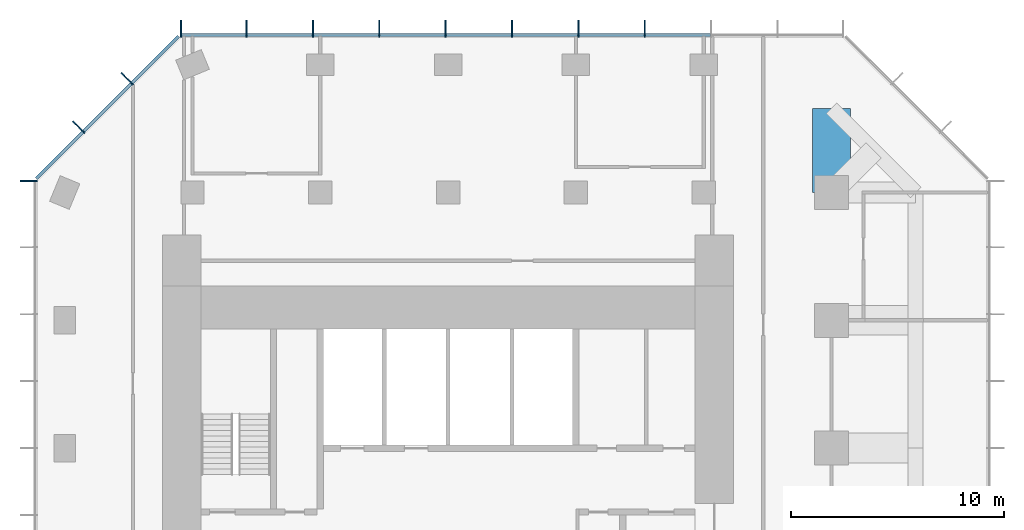
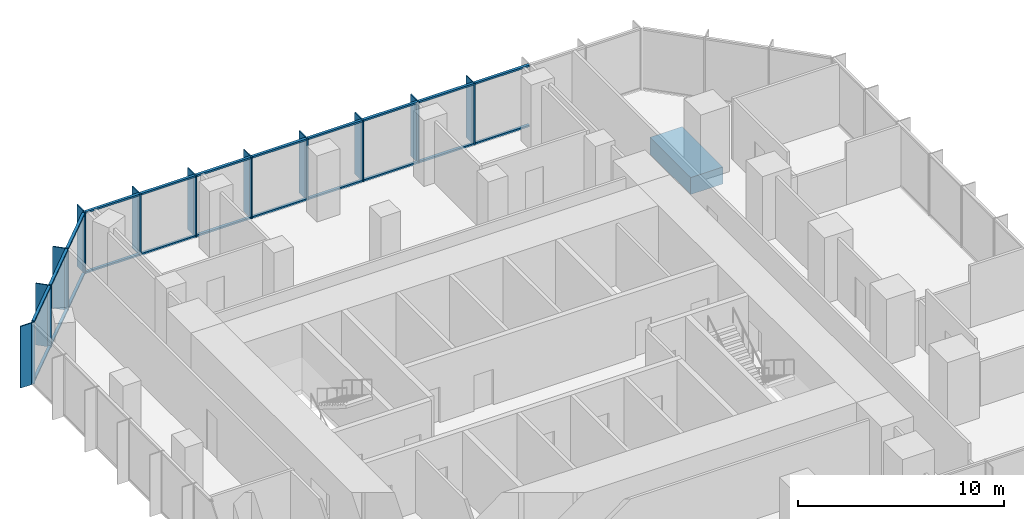
# One storey, part 5 of 10: 44 members, 1 beam, 3 elements without a shape of their own.
"""IFC4 building model written with IfcOpenShell, lengths in metres."""

from ifc_helpers import new_model, si_unit, direction, frame, origin, origin_2d, place, context, subcontext, project, spatial, rectangle, extrude, material, layer, layer_set, material_profile, profile_set, type_object, element, aggregate, save


model = new_model("IFC4")

# Units and contexts
model_context = context("Model", 3, precision=1e-05, world=origin(), true_north=direction((0.0, 1.0)))
body_context = subcontext(model_context, "Body", "Model", "MODEL_VIEW")
ifc_project = project(units=[si_unit("LENGTHUNIT", "METRE"), si_unit("AREAUNIT", "SQUARE_METRE"), si_unit("VOLUMEUNIT", "CUBIC_METRE"), si_unit("PLANEANGLEUNIT", "RADIAN"), si_unit("MASSUNIT", "GRAM", prefix="KILO")], contexts=[model_context])

# Site, building, storey
site_placement = place(None, origin())
site = spatial("IfcSite", under=ifc_project, at=site_placement, CompositionType="ELEMENT")
building_placement = place(site_placement, origin())
building = spatial("IfcBuilding", under=site, at=building_placement, Name="Highveld Stack Headquarters", CompositionType="ELEMENT")
storey_placement = place(building_placement, frame((0.0, 0.0, 264.5)))
storey = spatial("IfcBuildingStorey", under=building, at=storey_placement, Name="L65", CompositionType="ELEMENT", Elevation=264.5)

# Beam
ifc_material_1 = material(Name="Concrete C60/75", Category="concrete")
ifc_material_profile_1 = material_profile(ifc_material_1, rectangle(XDim=1.800048828125, YDim=1.0, at=origin_2d()), Name="RC 1800x1000")
ifc_profile_set_1 = profile_set([ifc_material_profile_1], Name="Concrete C60/75")
beam_type = type_object("IfcBeamType", Name="CANTILEVER RIB RC 1800x1000", PredefinedType="USERDEFINED", material=ifc_profile_set_1)
beam_placement = place(storey_placement, frame((24.0, 18.0, -0.75), z_axis=(0.0, 1.0, 0.0), x_axis=(-1.0, 0.0, 0.0)))
element("IfcBeam", 1, at=beam_placement, inside=storey, type_object=beam_type, Name="Cantilever rib 10/H L65", ObjectType="CANTILEVER RIB", PredefinedType="USERDEFINED", context=body_context, shape_type="SweptSolid", body=[
    extrude(rectangle(XDim=1.800048828125, YDim=1.0, at=origin_2d()), origin(), (0.0, 0.0, 1.0), 3.949951171875),
])

# Curtain wall, members
ifc_material_2 = material(Name="Aluminium bronze anodised", Category="aluminium")
ifc_layer = layer(ifc_material_2, 0.199951171875)
ifc_layer_set = layer_set([ifc_layer], Name="Aluminium bronze anodised")
curtain_wall_type = type_object("IfcCurtainWallType", Name="CW5 EXECUTIVE UNITISED CURTAIN WALL", PredefinedType="NOTDEFINED", material=ifc_layer_set)
curtain_wall_1_placement = place(storey_placement, origin())
curtain_wall_1 = element("IfcCurtainWall", 2, at=curtain_wall_1_placement, inside=storey, type_object=curtain_wall_type, Name="Curtain wall CW5 L65 N", PredefinedType="NOTDEFINED")
ifc_material_3 = material(Name="Aluminium bronze anodised", Category="aluminium")
ifc_material_profile_2 = material_profile(ifc_material_3, rectangle(XDim=0.60009765625, YDim=0.06005859375, at=origin_2d()), Name="FIN 600x60")
ifc_profile_set_2 = profile_set([ifc_material_profile_2], Name="Aluminium bronze anodised")
member_type_1 = type_object("IfcMemberType", Name="CW5 BRONZE FIN 600x60", PredefinedType="USERDEFINED", material=ifc_profile_set_2)
member_1_placement = place(storey_placement, frame((15.23193359375, 25.800048828125, 0.0), z_axis=(0.0, 0.0, 1.0), x_axis=(0.0, -1.0, 0.0)))
member_1 = element("IfcMember", 3, at=member_1_placement, type_object=member_type_1, Name="CW5 fin L65 4", ObjectType="FIN", PredefinedType="USERDEFINED", context=body_context, shape_type="SweptSolid", body=[
    extrude(rectangle(XDim=0.60009765625, YDim=0.06005859375, at=origin_2d()), origin(), (0.0, 0.0, 1.0), 3.64990234375),
])
member_2_placement = place(storey_placement, frame((12.115966796875, 25.800048828125, 0.0), z_axis=(0.0, 0.0, 1.0), x_axis=(0.0, -1.0, 0.0)))
member_2 = element("IfcMember", 4, at=member_2_placement, type_object=member_type_1, Name="CW5 fin L65 5", ObjectType="FIN", PredefinedType="USERDEFINED", context=body_context, shape_type="SweptSolid", body=[
    extrude(rectangle(XDim=0.60009765625, YDim=0.06005859375, at=origin_2d()), origin(), (0.0, 0.0, 1.0), 3.64990234375),
])
member_3_placement = place(storey_placement, frame((9.0, 25.800048828125, 0.0), z_axis=(0.0, 0.0, 1.0), x_axis=(0.0, -1.0, 0.0)))
member_3 = element("IfcMember", 5, at=member_3_placement, type_object=member_type_1, Name="CW5 fin L65 6", ObjectType="FIN", PredefinedType="USERDEFINED", context=body_context, shape_type="SweptSolid", body=[
    extrude(rectangle(XDim=0.60009765625, YDim=0.06005859375, at=origin_2d()), origin(), (0.0, 0.0, 1.0), 3.64990234375),
])
member_4_placement = place(storey_placement, frame((5.884033203125, 25.800048828125, 0.0), z_axis=(0.0, 0.0, 1.0), x_axis=(0.0, -1.0, 0.0)))
member_4 = element("IfcMember", 6, at=member_4_placement, type_object=member_type_1, Name="CW5 fin L65 7", ObjectType="FIN", PredefinedType="USERDEFINED", context=body_context, shape_type="SweptSolid", body=[
    extrude(rectangle(XDim=0.60009765625, YDim=0.06005859375, at=origin_2d()), origin(), (0.0, 0.0, 1.0), 3.64990234375),
])
member_5_placement = place(storey_placement, frame((2.76806640625, 25.800048828125, 0.0), z_axis=(0.0, 0.0, 1.0), x_axis=(0.0, -1.0, 0.0)))
member_5 = element("IfcMember", 7, at=member_5_placement, type_object=member_type_1, Name="CW5 fin L65 8", ObjectType="FIN", PredefinedType="USERDEFINED", context=body_context, shape_type="SweptSolid", body=[
    extrude(rectangle(XDim=0.60009765625, YDim=0.06005859375, at=origin_2d()), origin(), (0.0, 0.0, 1.0), 3.64990234375),
])
member_6_placement = place(storey_placement, frame((-0.347900390625, 25.800048828125, 0.0), z_axis=(0.0, 0.0, 1.0), x_axis=(0.0, -1.0, 0.0)))
member_6 = element("IfcMember", 8, at=member_6_placement, type_object=member_type_1, Name="CW5 fin L65 9", ObjectType="FIN", PredefinedType="USERDEFINED", context=body_context, shape_type="SweptSolid", body=[
    extrude(rectangle(XDim=0.60009765625, YDim=0.06005859375, at=origin_2d()), origin(), (0.0, 0.0, 1.0), 3.64990234375),
])
member_7_placement = place(storey_placement, frame((-3.4638671875, 25.800048828125, 0.0), z_axis=(0.0, 0.0, 1.0), x_axis=(0.0, -1.0, 0.0)))
member_7 = element("IfcMember", 9, at=member_7_placement, type_object=member_type_1, Name="CW5 fin L65 10", ObjectType="FIN", PredefinedType="USERDEFINED", context=body_context, shape_type="SweptSolid", body=[
    extrude(rectangle(XDim=0.60009765625, YDim=0.06005859375, at=origin_2d()), origin(), (0.0, 0.0, 1.0), 3.64990234375),
])
member_8_placement = place(storey_placement, frame((-6.54736328125, 25.800048828125, 0.0), z_axis=(0.0, 0.0, 1.0), x_axis=(0.0, -1.0, 0.0)))
member_8 = element("IfcMember", 10, at=member_8_placement, type_object=member_type_1, Name="CW5 fin L65 11", ObjectType="FIN", PredefinedType="USERDEFINED", context=body_context, shape_type="SweptSolid", body=[
    extrude(rectangle(XDim=0.60009765625, YDim=0.06005859375, at=origin_2d()), origin(), (0.0, 0.0, 1.0), 3.64990234375),
])

curtain_wall_2_placement = place(storey_placement, origin())
curtain_wall_2 = element("IfcCurtainWall", 11, at=curtain_wall_2_placement, inside=storey, type_object=curtain_wall_type, Name="Curtain wall CW5 L65 NW", PredefinedType="NOTDEFINED")
member_9_placement = place(storey_placement, frame((-9.135986328125, 23.409423828125, 0.0), z_axis=(0.0, 0.0, 1.0), x_axis=(0.707106781187, -0.707106781187, 0.0)))
member_9 = element("IfcMember", 12, at=member_9_placement, type_object=member_type_1, Name="CW5 fin L65 1", ObjectType="FIN", PredefinedType="USERDEFINED", context=body_context, shape_type="SweptSolid", body=[
    extrude(rectangle(XDim=0.60009765625, YDim=0.06005859375, at=origin_2d()), origin(), (0.0, 0.0, 1.0), 3.64990234375),
])
member_10_placement = place(storey_placement, frame((-11.409423828125, 21.135986328125, 0.0), z_axis=(0.0, 0.0, 1.0), x_axis=(0.707106781187, -0.707106781187, 0.0)))
member_10 = element("IfcMember", 13, at=member_10_placement, type_object=member_type_1, Name="CW5 fin L65 2", ObjectType="FIN", PredefinedType="USERDEFINED", context=body_context, shape_type="SweptSolid", body=[
    extrude(rectangle(XDim=0.60009765625, YDim=0.06005859375, at=origin_2d()), origin(), (0.0, 0.0, 1.0), 3.64990234375),
])

# Curtain wall, member
curtain_wall_3_placement = place(storey_placement, origin())
curtain_wall_3 = element("IfcCurtainWall", 14, at=curtain_wall_3_placement, inside=storey, type_object=curtain_wall_type, Name="Curtain wall CW5 L65 W", PredefinedType="NOTDEFINED")
member_11_placement = place(storey_placement, frame((-13.800048828125, 18.54736328125, 0.0), z_axis=(0.0, 0.0, 1.0), x_axis=(1.0, 0.0, 0.0)))
member_11 = element("IfcMember", 15, at=member_11_placement, type_object=member_type_1, Name="CW5 fin L65 1", ObjectType="FIN", PredefinedType="USERDEFINED", context=body_context, shape_type="SweptSolid", body=[
    extrude(rectangle(XDim=0.60009765625, YDim=0.06005859375, at=origin_2d()), origin(), (0.0, 0.0, 1.0), 3.64990234375),
])

# Member
ifc_material_4 = material(Name="Aluminium bronze anodised", Category="aluminium")
ifc_material_profile_3 = material_profile(ifc_material_4, rectangle(XDim=0.199951171875, YDim=0.06494140625, at=origin_2d()), Name="CW5 MULLION 65x200")
ifc_profile_set_3 = profile_set([ifc_material_profile_3], Name="Aluminium bronze anodised")
member_type_2 = type_object("IfcMemberType", Name="CW5 MULLION 65x200", PredefinedType="MULLION", material=ifc_profile_set_3)
member_12_placement = place(storey_placement, frame((15.23193359375, 25.39990234375, 0.0), z_axis=(0.0, 0.0, 1.0), x_axis=(0.0, -1.0, 0.0)))
member_12 = element("IfcMember", 16, at=member_12_placement, type_object=member_type_2, Name="CW5 mullion L65 4", PredefinedType="MULLION", context=body_context, shape_type="SweptSolid", body=[
    extrude(rectangle(XDim=0.199951171875, YDim=0.06494140625, at=origin_2d()), origin(), (0.0, 0.0, 1.0), 3.64990234375),
])

member_13_placement = place(storey_placement, frame((12.115966796875, 25.39990234375, 0.0), z_axis=(0.0, 0.0, 1.0), x_axis=(0.0, -1.0, 0.0)))
member_13 = element("IfcMember", 17, at=member_13_placement, type_object=member_type_2, Name="CW5 mullion L65 5", PredefinedType="MULLION", context=body_context, shape_type="SweptSolid", body=[
    extrude(rectangle(XDim=0.199951171875, YDim=0.06494140625, at=origin_2d()), origin(), (0.0, 0.0, 1.0), 3.64990234375),
])

member_14_placement = place(storey_placement, frame((9.0, 25.39990234375, 0.0), z_axis=(0.0, 0.0, 1.0), x_axis=(0.0, -1.0, 0.0)))
member_14 = element("IfcMember", 18, at=member_14_placement, type_object=member_type_2, Name="CW5 mullion L65 6", PredefinedType="MULLION", context=body_context, shape_type="SweptSolid", body=[
    extrude(rectangle(XDim=0.199951171875, YDim=0.06494140625, at=origin_2d()), origin(), (0.0, 0.0, 1.0), 3.64990234375),
])

member_15_placement = place(storey_placement, frame((5.884033203125, 25.39990234375, 0.0), z_axis=(0.0, 0.0, 1.0), x_axis=(0.0, -1.0, 0.0)))
member_15 = element("IfcMember", 19, at=member_15_placement, type_object=member_type_2, Name="CW5 mullion L65 7", PredefinedType="MULLION", context=body_context, shape_type="SweptSolid", body=[
    extrude(rectangle(XDim=0.199951171875, YDim=0.06494140625, at=origin_2d()), origin(), (0.0, 0.0, 1.0), 3.64990234375),
])

member_16_placement = place(storey_placement, frame((2.76806640625, 25.39990234375, 0.0), z_axis=(0.0, 0.0, 1.0), x_axis=(0.0, -1.0, 0.0)))
member_16 = element("IfcMember", 20, at=member_16_placement, type_object=member_type_2, Name="CW5 mullion L65 8", PredefinedType="MULLION", context=body_context, shape_type="SweptSolid", body=[
    extrude(rectangle(XDim=0.199951171875, YDim=0.06494140625, at=origin_2d()), origin(), (0.0, 0.0, 1.0), 3.64990234375),
])

member_17_placement = place(storey_placement, frame((-0.347900390625, 25.39990234375, 0.0), z_axis=(0.0, 0.0, 1.0), x_axis=(0.0, -1.0, 0.0)))
member_17 = element("IfcMember", 21, at=member_17_placement, type_object=member_type_2, Name="CW5 mullion L65 9", PredefinedType="MULLION", context=body_context, shape_type="SweptSolid", body=[
    extrude(rectangle(XDim=0.199951171875, YDim=0.06494140625, at=origin_2d()), origin(), (0.0, 0.0, 1.0), 3.64990234375),
])

member_18_placement = place(storey_placement, frame((-3.4638671875, 25.39990234375, 0.0), z_axis=(0.0, 0.0, 1.0), x_axis=(0.0, -1.0, 0.0)))
member_18 = element("IfcMember", 22, at=member_18_placement, type_object=member_type_2, Name="CW5 mullion L65 10", PredefinedType="MULLION", context=body_context, shape_type="SweptSolid", body=[
    extrude(rectangle(XDim=0.199951171875, YDim=0.06494140625, at=origin_2d()), origin(), (0.0, 0.0, 1.0), 3.64990234375),
])

member_19_placement = place(storey_placement, frame((-6.54736328125, 25.39990234375, 0.0), z_axis=(0.0, 0.0, 1.0), x_axis=(0.0, -1.0, 0.0)))
member_19 = element("IfcMember", 23, at=member_19_placement, type_object=member_type_2, Name="CW5 mullion L65 11", PredefinedType="MULLION", context=body_context, shape_type="SweptSolid", body=[
    extrude(rectangle(XDim=0.199951171875, YDim=0.06494140625, at=origin_2d()), origin(), (0.0, 0.0, 1.0), 3.64990234375),
])

member_20_placement = place(storey_placement, frame((-8.853271484375, 23.126708984375, 0.0), z_axis=(0.0, 0.0, 1.0), x_axis=(0.707106781187, -0.707106781187, 0.0)))
member_20 = element("IfcMember", 24, at=member_20_placement, type_object=member_type_2, Name="CW5 mullion L65 1", PredefinedType="MULLION", context=body_context, shape_type="SweptSolid", body=[
    extrude(rectangle(XDim=0.199951171875, YDim=0.06494140625, at=origin_2d()), origin(), (0.0, 0.0, 1.0), 3.64990234375),
])

member_21_placement = place(storey_placement, frame((-11.126708984375, 20.853271484375, 0.0), z_axis=(0.0, 0.0, 1.0), x_axis=(0.707106781187, -0.707106781187, 0.0)))
member_21 = element("IfcMember", 25, at=member_21_placement, type_object=member_type_2, Name="CW5 mullion L65 2", PredefinedType="MULLION", context=body_context, shape_type="SweptSolid", body=[
    extrude(rectangle(XDim=0.199951171875, YDim=0.06494140625, at=origin_2d()), origin(), (0.0, 0.0, 1.0), 3.64990234375),
])

member_22_placement = place(storey_placement, frame((-13.39990234375, 18.54736328125, 0.0), z_axis=(0.0, 0.0, 1.0), x_axis=(1.0, 0.0, 0.0)))
member_22 = element("IfcMember", 26, at=member_22_placement, type_object=member_type_2, Name="CW5 mullion L65 1", PredefinedType="MULLION", context=body_context, shape_type="SweptSolid", body=[
    extrude(rectangle(XDim=0.199951171875, YDim=0.06494140625, at=origin_2d()), origin(), (0.0, 0.0, 1.0), 3.64990234375),
])

aggregate(curtain_wall_3, [member_22, member_11])

ifc_material_5 = material(Name="Aluminium bronze anodised", Category="aluminium")
ifc_material_profile_4 = material_profile(ifc_material_5, rectangle(XDim=0.14990234375, YDim=0.10009765625, at=origin_2d()), Name="CW5 TRANSOM 150x100")
ifc_profile_set_4 = profile_set([ifc_material_profile_4], Name="Aluminium bronze anodised")
member_type_3 = type_object("IfcMemberType", Name="CW5 STACK TRANSOM 150x100", PredefinedType="USERDEFINED", material=ifc_profile_set_4)
member_23_placement = place(storey_placement, frame((18.3154296875, 25.39990234375, 0.050048828125), z_axis=(-1.0, 0.0, 0.0), x_axis=(0.0, -1.0, 0.0)))
member_23 = element("IfcMember", 27, at=member_23_placement, type_object=member_type_3, Name="CW5 transom L65 3.1", ObjectType="TRANSOM", PredefinedType="USERDEFINED", context=body_context, shape_type="SweptSolid", body=[
    extrude(rectangle(XDim=0.14990234375, YDim=0.10009765625, at=origin_2d()), origin(), (0.0, 0.0, 1.0), 3.051025390625),
])

member_24_placement = place(storey_placement, frame((18.3154296875, 25.39990234375, 3.60009765625), z_axis=(-1.0, 0.0, 0.0), x_axis=(0.0, -1.0, 0.0)))
member_24 = element("IfcMember", 28, at=member_24_placement, type_object=member_type_3, Name="CW5 transom L65 3.2", ObjectType="TRANSOM", PredefinedType="USERDEFINED", context=body_context, shape_type="SweptSolid", body=[
    extrude(rectangle(XDim=0.14990234375, YDim=0.10009765625, at=origin_2d()), origin(), (0.0, 0.0, 1.0), 3.051025390625),
])

member_25_placement = place(storey_placement, frame((15.199462890625, 25.39990234375, 0.050048828125), z_axis=(-1.0, 0.0, 0.0), x_axis=(0.0, -1.0, 0.0)))
member_25 = element("IfcMember", 29, at=member_25_placement, type_object=member_type_3, Name="CW5 transom L65 4.1", ObjectType="TRANSOM", PredefinedType="USERDEFINED", context=body_context, shape_type="SweptSolid", body=[
    extrude(rectangle(XDim=0.14990234375, YDim=0.10009765625, at=origin_2d()), origin(), (0.0, 0.0, 1.0), 3.051025390625),
])

member_26_placement = place(storey_placement, frame((15.199462890625, 25.39990234375, 3.60009765625), z_axis=(-1.0, 0.0, 0.0), x_axis=(0.0, -1.0, 0.0)))
member_26 = element("IfcMember", 30, at=member_26_placement, type_object=member_type_3, Name="CW5 transom L65 4.2", ObjectType="TRANSOM", PredefinedType="USERDEFINED", context=body_context, shape_type="SweptSolid", body=[
    extrude(rectangle(XDim=0.14990234375, YDim=0.10009765625, at=origin_2d()), origin(), (0.0, 0.0, 1.0), 3.051025390625),
])

member_27_placement = place(storey_placement, frame((12.08349609375, 25.39990234375, 0.050048828125), z_axis=(-1.0, 0.0, 0.0), x_axis=(0.0, -1.0, 0.0)))
member_27 = element("IfcMember", 31, at=member_27_placement, type_object=member_type_3, Name="CW5 transom L65 5.1", ObjectType="TRANSOM", PredefinedType="USERDEFINED", context=body_context, shape_type="SweptSolid", body=[
    extrude(rectangle(XDim=0.14990234375, YDim=0.10009765625, at=origin_2d()), origin(), (0.0, 0.0, 1.0), 3.051025390625),
])

member_28_placement = place(storey_placement, frame((12.08349609375, 25.39990234375, 3.60009765625), z_axis=(-1.0, 0.0, 0.0), x_axis=(0.0, -1.0, 0.0)))
member_28 = element("IfcMember", 32, at=member_28_placement, type_object=member_type_3, Name="CW5 transom L65 5.2", ObjectType="TRANSOM", PredefinedType="USERDEFINED", context=body_context, shape_type="SweptSolid", body=[
    extrude(rectangle(XDim=0.14990234375, YDim=0.10009765625, at=origin_2d()), origin(), (0.0, 0.0, 1.0), 3.051025390625),
])

member_29_placement = place(storey_placement, frame((8.967529296875, 25.39990234375, 0.050048828125), z_axis=(-1.0, 0.0, 0.0), x_axis=(0.0, -1.0, 0.0)))
member_29 = element("IfcMember", 33, at=member_29_placement, type_object=member_type_3, Name="CW5 transom L65 6.1", ObjectType="TRANSOM", PredefinedType="USERDEFINED", context=body_context, shape_type="SweptSolid", body=[
    extrude(rectangle(XDim=0.14990234375, YDim=0.10009765625, at=origin_2d()), origin(), (0.0, 0.0, 1.0), 3.051025390625),
])

member_30_placement = place(storey_placement, frame((8.967529296875, 25.39990234375, 3.60009765625), z_axis=(-1.0, 0.0, 0.0), x_axis=(0.0, -1.0, 0.0)))
member_30 = element("IfcMember", 34, at=member_30_placement, type_object=member_type_3, Name="CW5 transom L65 6.2", ObjectType="TRANSOM", PredefinedType="USERDEFINED", context=body_context, shape_type="SweptSolid", body=[
    extrude(rectangle(XDim=0.14990234375, YDim=0.10009765625, at=origin_2d()), origin(), (0.0, 0.0, 1.0), 3.051025390625),
])

member_31_placement = place(storey_placement, frame((5.8515625, 25.39990234375, 0.050048828125), z_axis=(-1.0, 0.0, 0.0), x_axis=(0.0, -1.0, 0.0)))
member_31 = element("IfcMember", 35, at=member_31_placement, type_object=member_type_3, Name="CW5 transom L65 7.1", ObjectType="TRANSOM", PredefinedType="USERDEFINED", context=body_context, shape_type="SweptSolid", body=[
    extrude(rectangle(XDim=0.14990234375, YDim=0.10009765625, at=origin_2d()), origin(), (0.0, 0.0, 1.0), 3.051025390625),
])

member_32_placement = place(storey_placement, frame((5.8515625, 25.39990234375, 3.60009765625), z_axis=(-1.0, 0.0, 0.0), x_axis=(0.0, -1.0, 0.0)))
member_32 = element("IfcMember", 36, at=member_32_placement, type_object=member_type_3, Name="CW5 transom L65 7.2", ObjectType="TRANSOM", PredefinedType="USERDEFINED", context=body_context, shape_type="SweptSolid", body=[
    extrude(rectangle(XDim=0.14990234375, YDim=0.10009765625, at=origin_2d()), origin(), (0.0, 0.0, 1.0), 3.051025390625),
])

member_33_placement = place(storey_placement, frame((2.735595703125, 25.39990234375, 0.050048828125), z_axis=(-1.0, 0.0, 0.0), x_axis=(0.0, -1.0, 0.0)))
member_33 = element("IfcMember", 37, at=member_33_placement, type_object=member_type_3, Name="CW5 transom L65 8.1", ObjectType="TRANSOM", PredefinedType="USERDEFINED", context=body_context, shape_type="SweptSolid", body=[
    extrude(rectangle(XDim=0.14990234375, YDim=0.10009765625, at=origin_2d()), origin(), (0.0, 0.0, 1.0), 3.051025390625),
])

member_34_placement = place(storey_placement, frame((2.735595703125, 25.39990234375, 3.60009765625), z_axis=(-1.0, 0.0, 0.0), x_axis=(0.0, -1.0, 0.0)))
member_34 = element("IfcMember", 38, at=member_34_placement, type_object=member_type_3, Name="CW5 transom L65 8.2", ObjectType="TRANSOM", PredefinedType="USERDEFINED", context=body_context, shape_type="SweptSolid", body=[
    extrude(rectangle(XDim=0.14990234375, YDim=0.10009765625, at=origin_2d()), origin(), (0.0, 0.0, 1.0), 3.051025390625),
])

member_35_placement = place(storey_placement, frame((-0.38037109375, 25.39990234375, 0.050048828125), z_axis=(-1.0, 0.0, 0.0), x_axis=(0.0, -1.0, 0.0)))
member_35 = element("IfcMember", 39, at=member_35_placement, type_object=member_type_3, Name="CW5 transom L65 9.1", ObjectType="TRANSOM", PredefinedType="USERDEFINED", context=body_context, shape_type="SweptSolid", body=[
    extrude(rectangle(XDim=0.14990234375, YDim=0.10009765625, at=origin_2d()), origin(), (0.0, 0.0, 1.0), 3.051025390625),
])

member_36_placement = place(storey_placement, frame((-0.38037109375, 25.39990234375, 3.60009765625), z_axis=(-1.0, 0.0, 0.0), x_axis=(0.0, -1.0, 0.0)))
member_36 = element("IfcMember", 40, at=member_36_placement, type_object=member_type_3, Name="CW5 transom L65 9.2", ObjectType="TRANSOM", PredefinedType="USERDEFINED", context=body_context, shape_type="SweptSolid", body=[
    extrude(rectangle(XDim=0.14990234375, YDim=0.10009765625, at=origin_2d()), origin(), (0.0, 0.0, 1.0), 3.051025390625),
])

member_37_placement = place(storey_placement, frame((-3.496337890625, 25.39990234375, 0.050048828125), z_axis=(-1.0, 0.0, 0.0), x_axis=(0.0, -1.0, 0.0)))
member_37 = element("IfcMember", 41, at=member_37_placement, type_object=member_type_3, Name="CW5 transom L65 10.1", ObjectType="TRANSOM", PredefinedType="USERDEFINED", context=body_context, shape_type="SweptSolid", body=[
    extrude(rectangle(XDim=0.14990234375, YDim=0.10009765625, at=origin_2d()), origin(), (0.0, 0.0, 1.0), 3.0185546875),
])

member_38_placement = place(storey_placement, frame((-3.496337890625, 25.39990234375, 3.60009765625), z_axis=(-1.0, 0.0, 0.0), x_axis=(0.0, -1.0, 0.0)))
member_38 = element("IfcMember", 42, at=member_38_placement, type_object=member_type_3, Name="CW5 transom L65 10.2", ObjectType="TRANSOM", PredefinedType="USERDEFINED", context=body_context, shape_type="SweptSolid", body=[
    extrude(rectangle(XDim=0.14990234375, YDim=0.10009765625, at=origin_2d()), origin(), (0.0, 0.0, 1.0), 3.0185546875),
])

aggregate(curtain_wall_1, [member_12, member_1, member_13, member_2, member_14, member_3, member_15, member_4, member_16, member_5, member_17, member_6, member_18, member_7, member_19, member_8, member_23, member_24, member_25, member_26, member_27, member_28, member_29, member_30, member_31, member_32, member_33, member_34, member_35, member_36, member_37, member_38])

member_39_placement = place(storey_placement, frame((-6.650634765625, 25.329345703125, 0.050048828125), z_axis=(-0.707106781187, -0.707106781187, 0.0), x_axis=(0.707106781187, -0.707106781187, 0.0)))
member_39 = element("IfcMember", 43, at=member_39_placement, type_object=member_type_3, Name="CW5 transom L65 1.1", ObjectType="TRANSOM", PredefinedType="USERDEFINED", context=body_context, shape_type="SweptSolid", body=[
    extrude(rectangle(XDim=0.14990234375, YDim=0.10009765625, at=origin_2d()), origin(), (0.0, 0.0, 1.0), 3.08251953125),
])

member_40_placement = place(storey_placement, frame((-6.650634765625, 25.329345703125, 3.60009765625), z_axis=(-0.707106781187, -0.707106781187, 0.0), x_axis=(0.707106781187, -0.707106781187, 0.0)))
member_40 = element("IfcMember", 44, at=member_40_placement, type_object=member_type_3, Name="CW5 transom L65 1.2", ObjectType="TRANSOM", PredefinedType="USERDEFINED", context=body_context, shape_type="SweptSolid", body=[
    extrude(rectangle(XDim=0.14990234375, YDim=0.10009765625, at=origin_2d()), origin(), (0.0, 0.0, 1.0), 3.08251953125),
])

member_41_placement = place(storey_placement, frame((-8.876220703125, 23.103759765625, 0.050048828125), z_axis=(-0.707106781187, -0.707106781187, 0.0), x_axis=(0.707106781187, -0.707106781187, 0.0)))
member_41 = element("IfcMember", 45, at=member_41_placement, type_object=member_type_3, Name="CW5 transom L65 2.1", ObjectType="TRANSOM", PredefinedType="USERDEFINED", context=body_context, shape_type="SweptSolid", body=[
    extrude(rectangle(XDim=0.14990234375, YDim=0.10009765625, at=origin_2d()), origin(), (0.0, 0.0, 1.0), 3.150146484375),
])

member_42_placement = place(storey_placement, frame((-8.876220703125, 23.103759765625, 3.60009765625), z_axis=(-0.707106781187, -0.707106781187, 0.0), x_axis=(0.707106781187, -0.707106781187, 0.0)))
member_42 = element("IfcMember", 46, at=member_42_placement, type_object=member_type_3, Name="CW5 transom L65 2.2", ObjectType="TRANSOM", PredefinedType="USERDEFINED", context=body_context, shape_type="SweptSolid", body=[
    extrude(rectangle(XDim=0.14990234375, YDim=0.10009765625, at=origin_2d()), origin(), (0.0, 0.0, 1.0), 3.150146484375),
])

member_43_placement = place(storey_placement, frame((-11.149658203125, 20.830322265625, 0.050048828125), z_axis=(-0.707106781187, -0.707106781187, 0.0), x_axis=(0.707106781187, -0.707106781187, 0.0)))
member_43 = element("IfcMember", 47, at=member_43_placement, type_object=member_type_3, Name="CW5 transom L65 3.1", ObjectType="TRANSOM", PredefinedType="USERDEFINED", context=body_context, shape_type="SweptSolid", body=[
    extrude(rectangle(XDim=0.14990234375, YDim=0.10009765625, at=origin_2d()), origin(), (0.0, 0.0, 1.0), 3.08251953125),
])

member_44_placement = place(storey_placement, frame((-11.149658203125, 20.830322265625, 3.60009765625), z_axis=(-0.707106781187, -0.707106781187, 0.0), x_axis=(0.707106781187, -0.707106781187, 0.0)))
member_44 = element("IfcMember", 48, at=member_44_placement, type_object=member_type_3, Name="CW5 transom L65 3.2", ObjectType="TRANSOM", PredefinedType="USERDEFINED", context=body_context, shape_type="SweptSolid", body=[
    extrude(rectangle(XDim=0.14990234375, YDim=0.10009765625, at=origin_2d()), origin(), (0.0, 0.0, 1.0), 3.08251953125),
])

aggregate(curtain_wall_2, [member_20, member_9, member_21, member_10, member_39, member_40, member_41, member_42, member_43, member_44])

save(model, "model.ifc")
